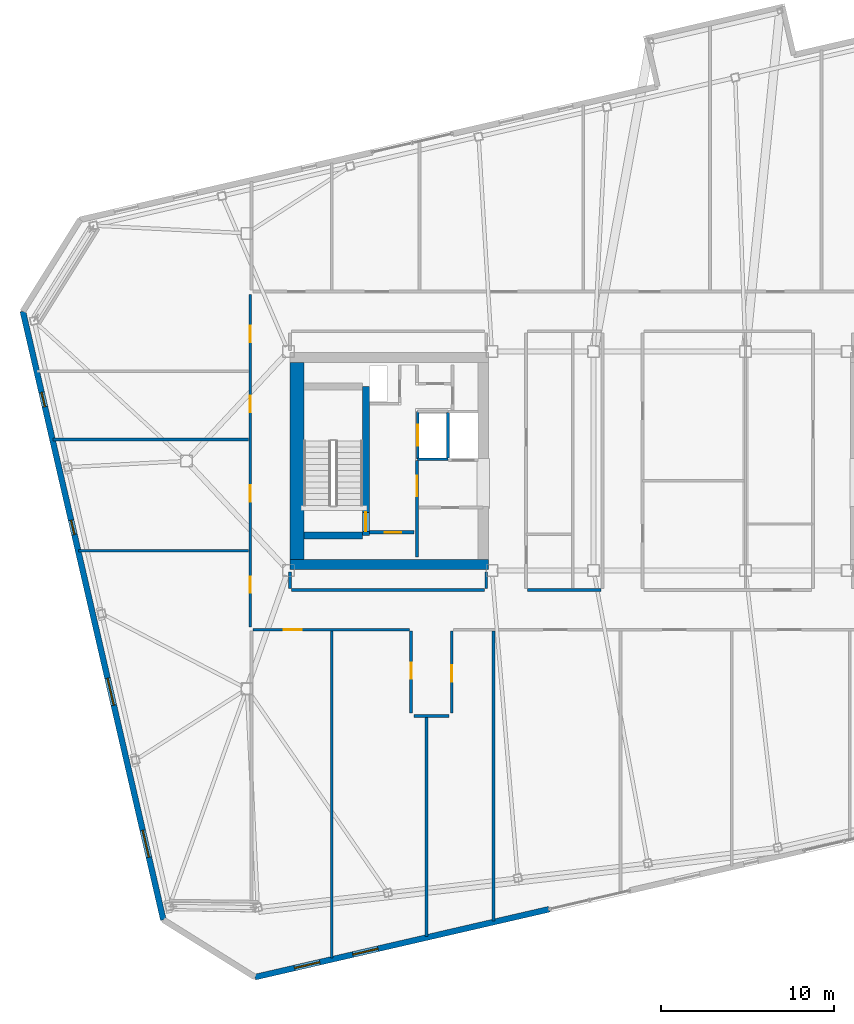
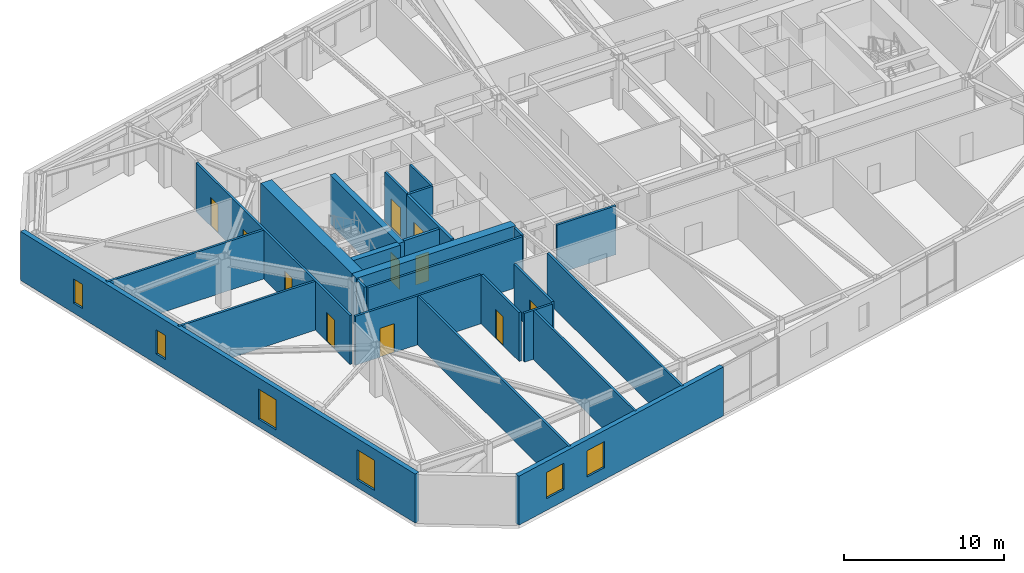
# One storey, part 15 of 22: 25 walls, 11 doors, 6 windows, 17 openings.
"""IFC4 building model written with IfcOpenShell, lengths in metres."""

from ifc_helpers import new_model, si_unit, direction, frame, frame_2d, origin, place, context, subcontext, project, spatial, rectangle, extrude, material, layer, layer_set, type_object, element, fill, save


model = new_model("IFC4")

# Units and contexts
model_context = context("Model", 3, precision=1e-05, world=origin(), true_north=direction((0.0, 1.0)))
body_context = subcontext(model_context, "Body", "Model", "MODEL_VIEW")
ifc_project = project(units=[si_unit("LENGTHUNIT", "METRE"), si_unit("AREAUNIT", "SQUARE_METRE"), si_unit("VOLUMEUNIT", "CUBIC_METRE"), si_unit("PLANEANGLEUNIT", "RADIAN"), si_unit("MASSUNIT", "GRAM", prefix="KILO")], contexts=[model_context])

# Site, building, storey
site_placement = place(None, origin())
site = spatial("IfcSite", under=ifc_project, at=site_placement, CompositionType="ELEMENT")
building_placement = place(site_placement, origin())
building = spatial("IfcBuilding", under=site, at=building_placement, Name="Tavrogorsk Clinical Tower", CompositionType="ELEMENT")
storey_placement = place(building_placement, frame((0.0, 0.0, 313.0)))
storey = spatial("IfcBuildingStorey", under=building, at=storey_placement, Name="L73", CompositionType="ELEMENT", Elevation=313.0)

# Wall, opening, door
ifc_material_1 = material(Name="Concrete B60", Category="concrete")
ifc_layer_1 = layer(ifc_material_1, 0.199951171875)
ifc_layer_set_1 = layer_set([ifc_layer_1], Name="Concrete B60")
wall_type_1 = type_object("IfcWallType", Name="CoreFireWall_200", PredefinedType="SOLIDWALL", material=ifc_layer_set_1)
wall_1_placement = place(storey_placement, frame((-17.3798828125, -4.139892578125, 0.0), z_axis=(0.0, 0.0, 1.0), x_axis=(1.0, 0.0, 0.0)))
wall_1 = element("IfcWall", 1, at=wall_1_placement, inside=storey, type_object=wall_type_1, Name="L73 Core West South Core Room Fire Wall", PredefinedType="SOLIDWALL", context=body_context, shape_type="SweptSolid", body=[
    extrude(rectangle(XDim=2.554931640625, YDim=0.199951171875, at=frame_2d((1.27734375, 0.0))), origin(), (0.0, 0.0, 1.0), 3.739990234375),
])
opening_1_placement = place(wall_1_placement, frame((0.8798828125, 0.0, 0.0)))
opening_1 = element("IfcOpeningElement", 2, at=opening_1_placement, cuts=wall_1, Name="Opening ID-02", PredefinedType="OPENING", context=body_context, shape_type="SweptSolid", body=[
    extrude(rectangle(XDim=0.949951171875, YDim=2.199951171875, at=frame_2d((0.47509765625, 1.10009765625))), frame((0.0, 0.10986328125, 0.0), z_axis=(0.0, -1.0, 0.0), x_axis=(1.0, 0.0, 0.0)), (0.0, 0.0, 1.0), 0.219970703125),
])
ifc_material_2 = material(Name="Laminated timber leaf on aluminium frame", Category="wood")
door_type_1 = type_object("IfcDoorType", Name="InteriorDoor_ID02_950", OperationType="NOTDEFINED", PredefinedType="DOOR", material=ifc_material_2)
door_1_placement = place(opening_1_placement, origin())
door_1 = element("IfcDoor", 3, at=door_1_placement, inside=storey, type_object=door_type_1, Name="L73 Core West South Core Room Door", OperationType="SINGLE_SWING_RIGHT", OverallHeight=2.199951171875, OverallWidth=0.949951171875, PredefinedType="DOOR", context=body_context, shape_type="SweptSolid", body=[
    extrude(rectangle(XDim=0.949951171875, YDim=2.199951171875, at=frame_2d((0.47509765625, 1.10009765625))), frame((0.0, 0.02490234375, 0.0), z_axis=(0.0, -1.0, 0.0), x_axis=(1.0, 0.0, 0.0)), (0.0, 0.0, 1.0), 0.050048828125),
])
fill(opening_1, door_1)

wall_2_placement = place(storey_placement, frame((-14.639892578125, -5.56005859375, 0.0), z_axis=(0.0, 0.0, 1.0), x_axis=(0.0, 1.0, 0.0)))
wall_2 = element("IfcWall", 4, at=wall_2_placement, inside=storey, type_object=wall_type_1, Name="L73 Core West Firefighting Lobby Fire Wall", PredefinedType="SOLIDWALL", context=body_context, shape_type="SweptSolid", body=[
    extrude(rectangle(XDim=5.60009765625, YDim=0.199951171875, at=frame_2d((2.800048828125, 0.0))), origin(), (0.0, 0.0, 1.0), 3.739990234375),
])
opening_2_placement = place(wall_2_placement, frame((3.510009765625, 0.0, 0.0)))
opening_2 = element("IfcOpeningElement", 5, at=opening_2_placement, cuts=wall_2, Name="Opening FD-01", PredefinedType="OPENING", context=body_context, shape_type="SweptSolid", body=[
    extrude(rectangle(XDim=1.199951171875, YDim=2.199951171875, at=frame_2d((0.60009765625, 1.10009765625))), frame((0.0, 0.10986328125, 0.0), z_axis=(0.0, -1.0, 0.0), x_axis=(1.0, 0.0, 0.0)), (0.0, 0.0, 1.0), 0.219970703125),
])
ifc_material_3 = material(Name="Galvanised steel fire-rated door assembly", Category="steel")
door_type_2 = type_object("IfcDoorType", Name="FireDoor_FD01_1200", OperationType="NOTDEFINED", PredefinedType="DOOR", material=ifc_material_3)
door_2_placement = place(opening_2_placement, origin())
door_2 = element("IfcDoor", 6, at=door_2_placement, inside=storey, type_object=door_type_2, Name="L73 Core West Firefighting Lobby Entry Door", OperationType="SINGLE_SWING_RIGHT", OverallHeight=2.199951171875, OverallWidth=1.199951171875, PredefinedType="DOOR", context=body_context, shape_type="SweptSolid", body=[
    extrude(rectangle(XDim=1.199951171875, YDim=2.199951171875, at=frame_2d((0.60009765625, 1.10009765625))), frame((0.0, 0.02490234375, 0.0), z_axis=(0.0, -1.0, 0.0), x_axis=(1.0, 0.0, 0.0)), (0.0, 0.0, 1.0), 0.050048828125),
])
fill(opening_2, door_2)

# Wall, openings, doors
ifc_material_4 = material(Name="Lightweight concrete blockwork B15", Category="masonry")
ifc_layer_2 = layer(ifc_material_4, 0.159912109375)
ifc_layer_set_2 = layer_set([ifc_layer_2], Name="Lightweight concrete blockwork B15")
wall_type_2 = type_object("IfcWallType", Name="PartitionWall_160", PredefinedType="PARTITIONING", material=ifc_layer_set_2)
wall_3_placement = place(storey_placement, frame((-24.31005859375, -9.614990234375, 0.0), z_axis=(0.0, 0.0, 1.0), x_axis=(0.0, 1.0, 0.0)))
wall_3 = element("IfcWall", 7, at=wall_3_placement, inside=storey, type_object=wall_type_2, Name="L73 Corridor Partition 01", PredefinedType="PARTITIONING", context=body_context, shape_type="SweptSolid", body=[
    extrude(rectangle(XDim=19.280029296875, YDim=0.159912109375, at=frame_2d((9.64013671875, 0.0))), origin(), (0.0, 0.0, 1.0), 3.739990234375),
])
opening_3_placement = place(wall_3_placement, frame((1.968994140625, 0.0, 0.0)))
opening_3 = element("IfcOpeningElement", 8, at=opening_3_placement, cuts=wall_3, Name="Opening ID-02", PredefinedType="OPENING", context=body_context, shape_type="SweptSolid", body=[
    extrude(rectangle(XDim=0.949951171875, YDim=2.199951171875, at=frame_2d((0.47509765625, 1.10009765625))), frame((0.0, 0.08984375, 0.0), z_axis=(0.0, -1.0, 0.0), x_axis=(1.0, 0.0, 0.0)), (0.0, 0.0, 1.0), 0.179931640625),
])
opening_4_placement = place(wall_3_placement, frame((7.25, 0.0, 0.0)))
opening_4 = element("IfcOpeningElement", 9, at=opening_4_placement, cuts=wall_3, Name="Opening ID-02", PredefinedType="OPENING", context=body_context, shape_type="SweptSolid", body=[
    extrude(rectangle(XDim=0.949951171875, YDim=2.199951171875, at=frame_2d((0.47509765625, 1.10009765625))), frame((0.0, 0.08984375, 0.0), z_axis=(0.0, -1.0, 0.0), x_axis=(1.0, 0.0, 0.0)), (0.0, 0.0, 1.0), 0.179931640625),
])
opening_5_placement = place(wall_3_placement, frame((12.449951171875, 0.0, 0.0)))
opening_5 = element("IfcOpeningElement", 10, at=opening_5_placement, cuts=wall_3, Name="Opening ID-02", PredefinedType="OPENING", context=body_context, shape_type="SweptSolid", body=[
    extrude(rectangle(XDim=0.949951171875, YDim=2.199951171875, at=frame_2d((0.47509765625, 1.10009765625))), frame((0.0, 0.08984375, 0.0), z_axis=(0.0, -1.0, 0.0), x_axis=(1.0, 0.0, 0.0)), (0.0, 0.0, 1.0), 0.179931640625),
])
opening_6_placement = place(wall_3_placement, frame((16.505859375, 0.0, 0.0)))
opening_6 = element("IfcOpeningElement", 11, at=opening_6_placement, cuts=wall_3, Name="Opening ID-02", PredefinedType="OPENING", context=body_context, shape_type="SweptSolid", body=[
    extrude(rectangle(XDim=0.949951171875, YDim=2.199951171875, at=frame_2d((0.47509765625, 1.10009765625))), frame((0.0, 0.08984375, 0.0), z_axis=(0.0, -1.0, 0.0), x_axis=(1.0, 0.0, 0.0)), (0.0, 0.0, 1.0), 0.179931640625),
])
door_3_placement = place(opening_3_placement, origin())
door_3 = element("IfcDoor", 12, at=door_3_placement, inside=storey, type_object=door_type_1, Name="L73 W Solarium Day Room & Lounge 1 Door", OperationType="SINGLE_SWING_RIGHT", OverallHeight=2.199951171875, OverallWidth=0.949951171875, PredefinedType="DOOR", context=body_context, shape_type="SweptSolid", body=[
    extrude(rectangle(XDim=0.949951171875, YDim=2.199951171875, at=frame_2d((0.47509765625, 1.10009765625))), frame((0.0, 0.02490234375, 0.0), z_axis=(0.0, -1.0, 0.0), x_axis=(1.0, 0.0, 0.0)), (0.0, 0.0, 1.0), 0.050048828125),
])
fill(opening_3, door_3)
door_4_placement = place(opening_4_placement, origin())
door_4 = element("IfcDoor", 13, at=door_4_placement, inside=storey, type_object=door_type_1, Name="L73 W Rehabilitation Therapy Suite 2 Door", OperationType="SINGLE_SWING_LEFT", OverallHeight=2.199951171875, OverallWidth=0.949951171875, PredefinedType="DOOR", context=body_context, shape_type="SweptSolid", body=[
    extrude(rectangle(XDim=0.949951171875, YDim=2.199951171875, at=frame_2d((0.47509765625, 1.10009765625))), frame((0.0, 0.02490234375, 0.0), z_axis=(0.0, -1.0, 0.0), x_axis=(1.0, 0.0, 0.0)), (0.0, 0.0, 1.0), 0.050048828125),
])
fill(opening_4, door_4)
door_5_placement = place(opening_5_placement, origin())
door_5 = element("IfcDoor", 14, at=door_5_placement, inside=storey, type_object=door_type_1, Name="L73 W Sub-Acute Observation Suite 3 Door", OperationType="SINGLE_SWING_RIGHT", OverallHeight=2.199951171875, OverallWidth=0.949951171875, PredefinedType="DOOR", context=body_context, shape_type="SweptSolid", body=[
    extrude(rectangle(XDim=0.949951171875, YDim=2.199951171875, at=frame_2d((0.47509765625, 1.10009765625))), frame((0.0, 0.02490234375, 0.0), z_axis=(0.0, -1.0, 0.0), x_axis=(1.0, 0.0, 0.0)), (0.0, 0.0, 1.0), 0.050048828125),
])
fill(opening_5, door_5)
door_6_placement = place(opening_6_placement, origin())
door_6 = element("IfcDoor", 15, at=door_6_placement, inside=storey, type_object=door_type_1, Name="L73 W Family Consultation Lounge 4 Door", OperationType="SINGLE_SWING_LEFT", OverallHeight=2.199951171875, OverallWidth=0.949951171875, PredefinedType="DOOR", context=body_context, shape_type="SweptSolid", body=[
    extrude(rectangle(XDim=0.949951171875, YDim=2.199951171875, at=frame_2d((0.47509765625, 1.10009765625))), frame((0.0, 0.02490234375, 0.0), z_axis=(0.0, -1.0, 0.0), x_axis=(1.0, 0.0, 0.0)), (0.0, 0.0, 1.0), 0.050048828125),
])
fill(opening_6, door_6)

# Wall, opening, door
wall_4_placement = place(storey_placement, frame((-12.6201171875, -9.864990234375, 0.0), z_axis=(0.0, 0.0, 1.0), x_axis=(0.0, -1.0, 0.0)))
wall_4 = element("IfcWall", 16, at=wall_4_placement, inside=storey, type_object=wall_type_2, Name="L73 Corridor Partition 05", PredefinedType="PARTITIONING", context=body_context, shape_type="SweptSolid", body=[
    extrude(rectangle(XDim=4.75, YDim=0.159912109375, at=frame_2d((2.375, 0.0))), origin(), (0.0, 0.0, 1.0), 3.739990234375),
])
opening_7_placement = place(wall_4_placement, frame((1.985107421875, 0.0, 0.0)))
opening_7 = element("IfcOpeningElement", 17, at=opening_7_placement, cuts=wall_4, Name="Opening ID-02", PredefinedType="OPENING", context=body_context, shape_type="SweptSolid", body=[
    extrude(rectangle(XDim=0.949951171875, YDim=2.199951171875, at=frame_2d((0.47509765625, 1.10009765625))), frame((0.0, 0.08984375, 0.0), z_axis=(0.0, -1.0, 0.0), x_axis=(1.0, 0.0, 0.0)), (0.0, 0.0, 1.0), 0.179931640625),
])
door_7_placement = place(opening_7_placement, origin())
door_7 = element("IfcDoor", 18, at=door_7_placement, inside=storey, type_object=door_type_1, Name="L73 South Attending Physician Office 02B Door", OperationType="SINGLE_SWING_RIGHT", OverallHeight=2.199951171875, OverallWidth=0.949951171875, PredefinedType="DOOR", context=body_context, shape_type="SweptSolid", body=[
    extrude(rectangle(XDim=0.949951171875, YDim=2.199951171875, at=frame_2d((0.47509765625, 1.10009765625))), frame((0.0, 0.02490234375, 0.0), z_axis=(0.0, -1.0, 0.0), x_axis=(1.0, 0.0, 0.0)), (0.0, 0.0, 1.0), 0.050048828125),
])
fill(opening_7, door_7)

# Wall
wall_5_placement = place(storey_placement, frame((-12.784912109375, -14.780029296875, 0.0), z_axis=(0.0, 0.0, 1.0), x_axis=(-1.0, 0.0, 0.0)))
element("IfcWall", 19, at=wall_5_placement, inside=storey, type_object=wall_type_2, Name="L73 Corridor Partition 06", PredefinedType="PARTITIONING", context=body_context, shape_type="SweptSolid", body=[
    extrude(rectangle(XDim=2.030029296875, YDim=0.159912109375, at=frame_2d((1.01513671875, 0.0))), origin(), (0.0, 0.0, 1.0), 3.739990234375),
])

# Wall, opening, door
wall_6_placement = place(storey_placement, frame((-14.97998046875, -14.614990234375, 0.0), z_axis=(0.0, 0.0, 1.0), x_axis=(0.0, 1.0, 0.0)))
wall_6 = element("IfcWall", 20, at=wall_6_placement, inside=storey, type_object=wall_type_2, Name="L73 Corridor Partition 07", PredefinedType="PARTITIONING", context=body_context, shape_type="SweptSolid", body=[
    extrude(rectangle(XDim=4.75, YDim=0.159912109375, at=frame_2d((2.375, 0.0))), origin(), (0.0, 0.0, 1.0), 3.739990234375),
])
opening_8_placement = place(wall_6_placement, frame((1.985107421875, 0.0, 0.0)))
opening_8 = element("IfcOpeningElement", 21, at=opening_8_placement, cuts=wall_6, Name="Opening ID-02", PredefinedType="OPENING", context=body_context, shape_type="SweptSolid", body=[
    extrude(rectangle(XDim=0.949951171875, YDim=2.199951171875, at=frame_2d((0.47509765625, 1.10009765625))), frame((0.0, 0.08984375, 0.0), z_axis=(0.0, -1.0, 0.0), x_axis=(1.0, 0.0, 0.0)), (0.0, 0.0, 1.0), 0.179931640625),
])
door_8_placement = place(opening_8_placement, origin())
door_8 = element("IfcDoor", 22, at=door_8_placement, inside=storey, type_object=door_type_1, Name="L73 South Staff Rest & Nourishment Lounge 02A Door", OperationType="SINGLE_SWING_LEFT", OverallHeight=2.199951171875, OverallWidth=0.949951171875, PredefinedType="DOOR", context=body_context, shape_type="SweptSolid", body=[
    extrude(rectangle(XDim=0.949951171875, YDim=2.199951171875, at=frame_2d((0.47509765625, 1.10009765625))), frame((0.0, 0.02490234375, 0.0), z_axis=(0.0, -1.0, 0.0), x_axis=(1.0, 0.0, 0.0)), (0.0, 0.0, 1.0), 0.050048828125),
])
fill(opening_8, door_8)

wall_7_placement = place(storey_placement, frame((-15.06494140625, -9.780029296875, 0.0), z_axis=(0.0, 0.0, 1.0), x_axis=(-1.0, 0.0, 0.0)))
wall_7 = element("IfcWall", 23, at=wall_7_placement, inside=storey, type_object=wall_type_2, Name="L73 Corridor Partition 08", PredefinedType="PARTITIONING", context=body_context, shape_type="SweptSolid", body=[
    extrude(rectangle(XDim=9.080078125, YDim=0.159912109375, at=frame_2d((4.5400390625, 0.0))), origin(), (0.0, 0.0, 1.0), 3.739990234375),
])
opening_9_placement = place(wall_7_placement, frame((6.255859375, 0.0, 0.0)))
opening_9 = element("IfcOpeningElement", 24, at=opening_9_placement, cuts=wall_7, Name="Opening ID-04", PredefinedType="OPENING", context=body_context, shape_type="SweptSolid", body=[
    extrude(rectangle(XDim=1.050048828125, YDim=2.199951171875, at=frame_2d((0.52490234375, 1.10009765625))), frame((0.0, 0.08984375, 0.0), z_axis=(0.0, -1.0, 0.0), x_axis=(1.0, 0.0, 0.0)), (0.0, 0.0, 1.0), 0.179931640625),
])
ifc_material_5 = material(Name="Antibacterial HPL consultation door on aluminium frame", Category="aluminium")
door_type_3 = type_object("IfcDoorType", Name="ConsultDoor_ID04_1050", OperationType="NOTDEFINED", PredefinedType="DOOR", material=ifc_material_5)
door_9_placement = place(opening_9_placement, origin())
door_9 = element("IfcDoor", 25, at=door_9_placement, inside=storey, type_object=door_type_3, Name="L73 South Clinical Case Seminar Room 01 Door", OperationType="SINGLE_SWING_RIGHT", OverallHeight=2.199951171875, OverallWidth=1.050048828125, PredefinedType="DOOR", context=body_context, shape_type="SweptSolid", body=[
    extrude(rectangle(XDim=1.050048828125, YDim=2.199951171875, at=frame_2d((0.52490234375, 1.10009765625))), frame((0.0, 0.02490234375, 0.0), z_axis=(0.0, -1.0, 0.0), x_axis=(1.0, 0.0, 0.0)), (0.0, 0.0, 1.0), 0.050048828125),
])
fill(opening_9, door_9)

# Walls
wall_8_placement = place(storey_placement, frame((-8.235107421875, -7.469970703125, 0.0), z_axis=(0.0, 0.0, 1.0), x_axis=(1.0, 0.0, 0.0)))
element("IfcWall", 26, at=wall_8_placement, inside=storey, type_object=wall_type_2, Name="L73 Corridor Partition 22", PredefinedType="PARTITIONING", context=body_context, shape_type="SweptSolid", body=[
    extrude(rectangle(XDim=4.27001953125, YDim=0.159912109375, at=frame_2d((2.135009765625, 0.0))), origin(), (0.0, 0.0, 1.0), 3.739990234375),
])
for number, where, z_axis, x_axis, name in (
    (27, (-10.6298828125, -7.385009765625, 0.0), (0.0, 0.0, 1.0), (0.0, 1.0, 0.0), "L73 Corridor Partition 23"),
    (28, (-22.0, -6.419921875, 0.0), (0.0, 0.0, 1.0), (0.0, -1.0, 0.0), "L73 Corridor Partition 27"),
):
    element("IfcWall", number, at=place(storey_placement, frame(where, z_axis=z_axis, x_axis=x_axis)), inside=storey, type_object=wall_type_2, Name=name, PredefinedType="PARTITIONING", context=body_context, shape_type="SweptSolid", body=[
        extrude(rectangle(XDim=0.965087890625, YDim=0.159912109375, at=frame_2d((0.482421875, 0.0))), origin(), (0.0, 0.0, 1.0), 3.739990234375),
    ])
wall_9_placement = place(storey_placement, frame((-21.9150390625, -7.469970703125, 0.0), z_axis=(0.0, 0.0, 1.0), x_axis=(1.0, 0.0, 0.0)))
element("IfcWall", 29, at=wall_9_placement, inside=storey, type_object=wall_type_2, Name="L73 Corridor Partition 28", PredefinedType="PARTITIONING", context=body_context, shape_type="SweptSolid", body=[
    extrude(rectangle(XDim=11.199951171875, YDim=0.159912109375, at=frame_2d((5.60009765625, 0.0))), origin(), (0.0, 0.0, 1.0), 3.739990234375),
])
wall_10_placement = place(storey_placement, frame((-19.580078125, -28.817138671875, 0.0), z_axis=(0.0, 0.0, 1.0), x_axis=(0.0, 1.0, 0.0)))
element("IfcWall", 30, at=wall_10_placement, inside=storey, type_object=wall_type_2, Name="L73 South Room Partition 1", PredefinedType="PARTITIONING", context=body_context, shape_type="SweptSolid", body=[
    extrude(rectangle(XDim=18.9521484375, YDim=0.159912109375, at=frame_2d((9.47607421875, 0.0))), origin(), (0.0, 0.0, 1.0), 3.739990234375),
])
wall_11_placement = place(storey_placement, frame((-10.199951171875, -26.651611328125, 0.0), z_axis=(0.0, 0.0, 1.0), x_axis=(0.0, 1.0, 0.0)))
element("IfcWall", 31, at=wall_11_placement, inside=storey, type_object=wall_type_2, Name="L73 South Room Partition 2", PredefinedType="PARTITIONING", context=body_context, shape_type="SweptSolid", body=[
    extrude(rectangle(XDim=16.78662109375, YDim=0.159912109375, at=frame_2d((8.393310546875, 0.0))), origin(), (0.0, 0.0, 1.0), 3.739990234375),
])
wall_12_placement = place(storey_placement, frame((-14.090087890625, -27.549560546875, 0.0), z_axis=(0.0, 0.0, 1.0), x_axis=(0.0, 1.0, 0.0)))
element("IfcWall", 32, at=wall_12_placement, inside=storey, type_object=wall_type_2, Name="L73 South Sub-Partition 2", PredefinedType="PARTITIONING", context=body_context, shape_type="SweptSolid", body=[
    extrude(rectangle(XDim=12.7646484375, YDim=0.159912109375, at=frame_2d((6.38232421875, 0.0))), origin(), (0.0, 0.0, 1.0), 3.739990234375),
])
wall_13_placement = place(storey_placement, frame((-34.26171875, -5.199951171875, 0.0), z_axis=(0.0, 0.0, 1.0), x_axis=(1.0, 0.0, 0.0)))
element("IfcWall", 33, at=wall_13_placement, inside=storey, type_object=wall_type_2, Name="L73 W Wing Divider 1", PredefinedType="PARTITIONING", context=body_context, shape_type="SweptSolid", body=[
    extrude(rectangle(XDim=9.86669921875, YDim=0.159912109375, at=frame_2d((4.933349609375, 0.0))), origin(), (0.0, 0.0, 1.0), 3.739990234375),
])
wall_14_placement = place(storey_placement, frame((-35.7509765625, 1.25, 0.0), z_axis=(0.0, 0.0, 1.0), x_axis=(1.0, 0.0, 0.0)))
element("IfcWall", 34, at=wall_14_placement, inside=storey, type_object=wall_type_2, Name="L73 W Wing Divider 2", PredefinedType="PARTITIONING", context=body_context, shape_type="SweptSolid", body=[
    extrude(rectangle(XDim=11.35595703125, YDim=0.159912109375, at=frame_2d((5.677978515625, 0.0))), origin(), (0.0, 0.0, 1.0), 3.739990234375),
])

# Wall, openings, windows
ifc_material_6 = material(Name="Precast concrete B45 with limestone cladding", Category="masonry")
ifc_layer_3 = layer(ifc_material_6, 0.340087890625)
ifc_layer_set_3 = layer_set([ifc_layer_3], Name="Precast concrete B45 with limestone cladding")
wall_type_3 = type_object("IfcWallType", Name="PrecastLimestoneWall_340", PredefinedType="STANDARD", material=ifc_layer_set_3)
wall_15_placement = place(storey_placement, frame((-24.029541015625, -29.916259765625, 0.0), z_axis=(0.0, 0.0, 1.0), x_axis=(0.974370978061, 0.224947098473, 0.0)))
wall_15 = element("IfcWall", 35, at=wall_15_placement, inside=storey, type_object=wall_type_3, Name="L73 S Limestone Facade Wall 1", PredefinedType="STANDARD", context=body_context, shape_type="SweptSolid", body=[
    extrude(rectangle(XDim=17.50634765625, YDim=0.340087890625, at=frame_2d((8.753173828125, 0.0))), origin(), (0.0, 0.0, 1.0), 3.739990234375),
])
opening_10_placement = place(wall_15_placement, frame((2.35009765625, 0.0, 0.89990234375)))
opening_10 = element("IfcOpeningElement", 36, at=opening_10_placement, cuts=wall_15, Name="Opening WN-05", PredefinedType="OPENING", context=body_context, shape_type="SweptSolid", body=[
    extrude(rectangle(XDim=1.5, YDim=2.0, at=frame_2d((0.75, 1.0))), frame((0.0, 0.179931640625, 0.0), z_axis=(0.0, -1.0, 0.0), x_axis=(1.0, 0.0, 0.0)), (0.0, 0.0, 1.0), 0.360107421875),
])
opening_11_placement = place(wall_15_placement, frame((5.81689453125, 0.0, 0.89990234375)))
opening_11 = element("IfcOpeningElement", 37, at=opening_11_placement, cuts=wall_15, Name="Opening WN-05", PredefinedType="OPENING", context=body_context, shape_type="SweptSolid", body=[
    extrude(rectangle(XDim=1.5, YDim=2.0, at=frame_2d((0.75, 1.0))), frame((0.0, 0.179931640625, 0.0), z_axis=(0.0, -1.0, 0.0), x_axis=(1.0, 0.0, 0.0)), (0.0, 0.0, 1.0), 0.360107421875),
])
ifc_material_7 = material(Name="Thermally broken aluminium frame and triple IGU", Category="aluminium")
window_type_1 = type_object("IfcWindowType", Name="ConsultWin_1500x2000", PartitioningType="SINGLE_PANEL", PredefinedType="WINDOW", material=ifc_material_7)
window_1_placement = place(opening_10_placement, origin())
window_1 = element("IfcWindow", 38, at=window_1_placement, inside=storey, type_object=window_type_1, Name="L73 S Chicago Window 01", OverallHeight=2.0, OverallWidth=1.5, PartitioningType="SINGLE_PANEL", PredefinedType="WINDOW", context=body_context, shape_type="SweptSolid", body=[
    extrude(rectangle(XDim=1.5, YDim=2.0, at=frame_2d((0.75, 1.0))), frame((0.0, 0.030029296875, 0.0), z_axis=(0.0, -1.0, 0.0), x_axis=(1.0, 0.0, 0.0)), (0.0, 0.0, 1.0), 0.06005859375),
])
fill(opening_10, window_1)
window_2_placement = place(opening_11_placement, origin())
window_2 = element("IfcWindow", 39, at=window_2_placement, inside=storey, type_object=window_type_1, Name="L73 S Chicago Window 02", OverallHeight=2.0, OverallWidth=1.5, PartitioningType="SINGLE_PANEL", PredefinedType="WINDOW", context=body_context, shape_type="SweptSolid", body=[
    extrude(rectangle(XDim=1.5, YDim=2.0, at=frame_2d((0.75, 1.0))), frame((0.0, 0.030029296875, 0.0), z_axis=(0.0, -1.0, 0.0), x_axis=(1.0, 0.0, 0.0)), (0.0, 0.0, 1.0), 0.06005859375),
])
fill(opening_11, window_2)

wall_16_placement = place(storey_placement, frame((-37.48583984375, 8.676025390625, 0.0), z_axis=(0.0, 0.0, 1.0), x_axis=(0.224953091034, -0.974369594576, 0.0)))
wall_16 = element("IfcWall", 40, at=wall_16_placement, inside=storey, type_object=wall_type_3, Name="L73 W Pleated Limestone Wing Wall", PredefinedType="STANDARD", context=body_context, shape_type="SweptSolid", body=[
    extrude(rectangle(XDim=36.199951171875, YDim=0.340087890625, at=frame_2d((18.10009765625, 0.0))), origin(), (0.0, 0.0, 1.0), 3.739990234375),
])
opening_12_placement = place(wall_16_placement, frame((4.824951171875, 0.0, 0.75)))
opening_12 = element("IfcOpeningElement", 41, at=opening_12_placement, cuts=wall_16, Name="Opening WN-06", PredefinedType="OPENING", context=body_context, shape_type="SweptSolid", body=[
    extrude(rectangle(XDim=0.85009765625, YDim=1.85009765625, at=frame_2d((0.425048828125, 0.925048828125))), frame((0.0, 0.179931640625, 0.0), z_axis=(0.0, -1.0, 0.0), x_axis=(1.0, 0.0, 0.0)), (0.0, 0.0, 1.0), 0.360107421875),
])
opening_13_placement = place(wall_16_placement, frame((12.425048828125, 0.0, 0.75)))
opening_13 = element("IfcOpeningElement", 42, at=opening_13_placement, cuts=wall_16, Name="Opening WN-06", PredefinedType="OPENING", context=body_context, shape_type="SweptSolid", body=[
    extrude(rectangle(XDim=0.85009765625, YDim=1.85009765625, at=frame_2d((0.425048828125, 0.925048828125))), frame((0.0, 0.179931640625, 0.0), z_axis=(0.0, -1.0, 0.0), x_axis=(1.0, 0.0, 0.0)), (0.0, 0.0, 1.0), 0.360107421875),
])
opening_14_placement = place(wall_16_placement, frame((21.824951171875, 0.0, 0.580078125)))
opening_14 = element("IfcOpeningElement", 43, at=opening_14_placement, cuts=wall_16, Name="Opening WN-07", PredefinedType="OPENING", context=body_context, shape_type="SweptSolid", body=[
    extrude(rectangle(XDim=1.60009765625, YDim=2.300048828125, at=frame_2d((0.800048828125, 1.14990234375))), frame((0.0, 0.179931640625, 0.0), z_axis=(0.0, -1.0, 0.0), x_axis=(1.0, 0.0, 0.0)), (0.0, 0.0, 1.0), 0.360107421875),
])
opening_15_placement = place(wall_16_placement, frame((30.875, 0.0, 0.580078125)))
opening_15 = element("IfcOpeningElement", 44, at=opening_15_placement, cuts=wall_16, Name="Opening WN-07", PredefinedType="OPENING", context=body_context, shape_type="SweptSolid", body=[
    extrude(rectangle(XDim=1.60009765625, YDim=2.300048828125, at=frame_2d((0.800048828125, 1.14990234375))), frame((0.0, 0.179931640625, 0.0), z_axis=(0.0, -1.0, 0.0), x_axis=(1.0, 0.0, 0.0)), (0.0, 0.0, 1.0), 0.360107421875),
])
ifc_material_8 = material(Name="Thermally broken aluminium frame and triple IGU", Category="aluminium")
window_type_2 = type_object("IfcWindowType", Name="MullionSubWin_850x1850", PartitioningType="SINGLE_PANEL", PredefinedType="WINDOW", material=ifc_material_8)
window_3_placement = place(opening_12_placement, origin())
window_3 = element("IfcWindow", 45, at=window_3_placement, inside=storey, type_object=window_type_2, Name="L73 W Pleat Mullion Window 1B", OverallHeight=1.85009765625, OverallWidth=0.85009765625, PartitioningType="SINGLE_PANEL", PredefinedType="WINDOW", context=body_context, shape_type="SweptSolid", body=[
    extrude(rectangle(XDim=0.85009765625, YDim=1.85009765625, at=frame_2d((0.425048828125, 0.925048828125))), frame((0.0, 0.030029296875, 0.0), z_axis=(0.0, -1.0, 0.0), x_axis=(1.0, 0.0, 0.0)), (0.0, 0.0, 1.0), 0.06005859375),
])
fill(opening_12, window_3)
window_4_placement = place(opening_13_placement, origin())
window_4 = element("IfcWindow", 46, at=window_4_placement, inside=storey, type_object=window_type_2, Name="L73 W Pleat Mullion Window 2A", OverallHeight=1.85009765625, OverallWidth=0.85009765625, PartitioningType="SINGLE_PANEL", PredefinedType="WINDOW", context=body_context, shape_type="SweptSolid", body=[
    extrude(rectangle(XDim=0.85009765625, YDim=1.85009765625, at=frame_2d((0.425048828125, 0.925048828125))), frame((0.0, 0.030029296875, 0.0), z_axis=(0.0, -1.0, 0.0), x_axis=(1.0, 0.0, 0.0)), (0.0, 0.0, 1.0), 0.06005859375),
])
fill(opening_13, window_4)
ifc_material_9 = material(Name="Thermally broken aluminium frame and triple IGU", Category="aluminium")
window_type_3 = type_object("IfcWindowType", Name="PleatSlotWin_1600x2300", PartitioningType="SINGLE_PANEL", PredefinedType="WINDOW", material=ifc_material_9)
window_5_placement = place(opening_14_placement, origin())
window_5 = element("IfcWindow", 47, at=window_5_placement, inside=storey, type_object=window_type_3, Name="L73 W Pleat Slot Window 3", OverallHeight=2.300048828125, OverallWidth=1.60009765625, PartitioningType="SINGLE_PANEL", PredefinedType="WINDOW", context=body_context, shape_type="SweptSolid", body=[
    extrude(rectangle(XDim=1.60009765625, YDim=2.300048828125, at=frame_2d((0.800048828125, 1.14990234375))), frame((0.0, 0.030029296875, 0.0), z_axis=(0.0, -1.0, 0.0), x_axis=(1.0, 0.0, 0.0)), (0.0, 0.0, 1.0), 0.06005859375),
])
fill(opening_14, window_5)
window_6_placement = place(opening_15_placement, origin())
window_6 = element("IfcWindow", 48, at=window_6_placement, inside=storey, type_object=window_type_3, Name="L73 W Pleat Slot Window 4", OverallHeight=2.300048828125, OverallWidth=1.60009765625, PartitioningType="SINGLE_PANEL", PredefinedType="WINDOW", context=body_context, shape_type="SweptSolid", body=[
    extrude(rectangle(XDim=1.60009765625, YDim=2.300048828125, at=frame_2d((0.800048828125, 1.14990234375))), frame((0.0, 0.030029296875, 0.0), z_axis=(0.0, -1.0, 0.0), x_axis=(1.0, 0.0, 0.0)), (0.0, 0.0, 1.0), 0.06005859375),
])
fill(opening_15, window_6)

# Wall, opening, door
ifc_material_10 = material(Name="Lightweight concrete blockwork B25", Category="masonry")
ifc_layer_4 = layer(ifc_material_10, 0.159912109375)
ifc_layer_set_4 = layer_set([ifc_layer_4], Name="Lightweight concrete blockwork B25")
wall_type_4 = type_object("IfcWallType", Name="ShaftWall_160", PredefinedType="PARTITIONING", material=ifc_layer_set_4)
wall_17_placement = place(storey_placement, frame((-14.60009765625, 0.1201171875, 0.0), z_axis=(0.0, 0.0, 1.0), x_axis=(0.0, 1.0, 0.0)))
wall_17 = element("IfcWall", 49, at=wall_17_placement, inside=storey, type_object=wall_type_4, Name="L73 FFL-W Firefighting Lift Front Wall", PredefinedType="PARTITIONING", context=body_context, shape_type="SweptSolid", body=[
    extrude(rectangle(XDim=2.739990234375, YDim=0.159912109375, at=frame_2d((1.3701171875, 0.0))), origin(), (0.0, 0.0, 1.0), 3.739990234375),
])
opening_16_placement = place(wall_17_placement, frame((0.77001953125, 0.0, 0.0)))
opening_16 = element("IfcOpeningElement", 50, at=opening_16_placement, cuts=wall_17, Name="Opening LD", PredefinedType="OPENING", context=body_context, shape_type="SweptSolid", body=[
    extrude(rectangle(XDim=1.199951171875, YDim=2.199951171875, at=frame_2d((0.60009765625, 1.10009765625))), frame((0.0, 0.08984375, 0.0), z_axis=(0.0, -1.0, 0.0), x_axis=(1.0, 0.0, 0.0)), (0.0, 0.0, 1.0), 0.179931640625),
])
ifc_material_11 = material(Name="Brushed stainless steel AISI 304 sliding doors", Category="steel")
door_type_4 = type_object("IfcDoorType", Name="LiftLandingDoor_LD_1200", OperationType="SLIDING_TO_LEFT", PredefinedType="DOOR", material=ifc_material_11)
door_10_placement = place(opening_16_placement, origin())
door_10 = element("IfcDoor", 51, at=door_10_placement, inside=storey, type_object=door_type_4, Name="L73 FFL-W Sliding Lift Landing Door", OperationType="SLIDING_TO_LEFT", OverallHeight=2.199951171875, OverallWidth=1.199951171875, PredefinedType="DOOR", context=body_context, shape_type="SweptSolid", body=[
    extrude(rectangle(XDim=1.199951171875, YDim=2.199951171875, at=frame_2d((0.60009765625, 1.10009765625))), frame((0.0, 0.02490234375, 0.0), z_axis=(0.0, -1.0, 0.0), x_axis=(1.0, 0.0, 0.0)), (0.0, 0.0, 1.0), 0.050048828125),
])
fill(opening_16, door_10)

# Walls
wall_18_placement = place(storey_placement, frame((-14.60009765625, 0.10009765625, 0.0), z_axis=(0.0, 0.0, 1.0), x_axis=(1.0, 0.0, 0.0)))
element("IfcWall", 52, at=wall_18_placement, inside=storey, type_object=wall_type_4, Name="L73 FFL-W Shaft South Wall", PredefinedType="PARTITIONING", context=body_context, shape_type="SweptSolid", body=[
    extrude(rectangle(XDim=1.760009765625, YDim=0.159912109375, at=frame_2d((0.8798828125, 0.0))), origin(), (0.0, 0.0, 1.0), 3.739990234375),
])
wall_19_placement = place(storey_placement, frame((-12.840087890625, 0.179931640625, 0.0), z_axis=(0.0, 0.0, 1.0), x_axis=(0.0, 1.0, 0.0)))
element("IfcWall", 53, at=wall_19_placement, inside=storey, type_object=wall_type_4, Name="L73 FFL-W Shaft Back Wall", PredefinedType="PARTITIONING", context=body_context, shape_type="SweptSolid", body=[
    extrude(rectangle(XDim=2.6201171875, YDim=0.159912109375, at=frame_2d((1.31005859375, 0.0))), origin(), (0.0, 0.0, 1.0), 3.739990234375),
])

# Wall, opening, door
ifc_material_12 = material(Name="Concrete B80", Category="concrete")
ifc_layer_5 = layer(ifc_material_12, 0.39990234375)
ifc_layer_set_5 = layer_set([ifc_layer_5], Name="Concrete B80")
wall_type_5 = type_object("IfcWallType", Name="ShearWall_400", PredefinedType="SHEAR", material=ifc_layer_set_5)
wall_20_placement = place(storey_placement, frame((-17.60009765625, -4.324951171875, 0.0), z_axis=(0.0, 0.0, 1.0), x_axis=(0.0, 1.0, 0.0)))
wall_20 = element("IfcWall", 54, at=wall_20_placement, inside=storey, type_object=wall_type_5, Name="L73 Core West Stair Shaft Inner Shear Wall", PredefinedType="SHEAR", context=body_context, shape_type="SweptSolid", body=[
    extrude(rectangle(XDim=8.64990234375, YDim=0.39990234375, at=frame_2d((4.324951171875, 0.0))), origin(), (0.0, 0.0, 1.0), 3.739990234375),
])
opening_17_placement = place(wall_20_placement, frame((0.25, 0.0, 0.0)))
opening_17 = element("IfcOpeningElement", 55, at=opening_17_placement, cuts=wall_20, Name="Opening SD-01", PredefinedType="OPENING", context=body_context, shape_type="SweptSolid", body=[
    extrude(rectangle(XDim=1.10009765625, YDim=2.199951171875, at=frame_2d((0.550048828125, 1.10009765625))), frame((0.0, 0.2099609375, 0.0), z_axis=(0.0, -1.0, 0.0), x_axis=(1.0, 0.0, 0.0)), (0.0, 0.0, 1.0), 0.419921875),
])
ifc_material_13 = material(Name="Galvanised steel smoke-tight fire door assembly", Category="steel")
door_type_5 = type_object("IfcDoorType", Name="StairFireDoor_SD01_1100", OperationType="NOTDEFINED", PredefinedType="DOOR", material=ifc_material_13)
door_11_placement = place(opening_17_placement, origin())
door_11 = element("IfcDoor", 56, at=door_11_placement, inside=storey, type_object=door_type_5, Name="L73 ST-W Exit Stair Door", OperationType="SINGLE_SWING_RIGHT", OverallHeight=2.199951171875, OverallWidth=1.10009765625, PredefinedType="DOOR", context=body_context, shape_type="SweptSolid", body=[
    extrude(rectangle(XDim=1.10009765625, YDim=2.199951171875, at=frame_2d((0.550048828125, 1.10009765625))), frame((0.0, 0.02490234375, 0.0), z_axis=(0.0, -1.0, 0.0), x_axis=(1.0, 0.0, 0.0)), (0.0, 0.0, 1.0), 0.050048828125),
])
fill(opening_17, door_11)

# Walls
wall_21_placement = place(storey_placement, frame((-21.199951171875, -4.324951171875, 0.0), z_axis=(0.0, 0.0, 1.0), x_axis=(1.0, 0.0, 0.0)))
element("IfcWall", 57, at=wall_21_placement, inside=storey, type_object=wall_type_5, Name="L73 Core West Stair Shaft South Shear Wall", PredefinedType="SHEAR", context=body_context, shape_type="SweptSolid", body=[
    extrude(rectangle(XDim=3.39990234375, YDim=0.39990234375, at=frame_2d((1.699951171875, 0.0))), origin(), (0.0, 0.0, 1.0), 3.739990234375),
])
ifc_material_14 = material(Name="Concrete B80", Category="concrete")
ifc_layer_6 = layer(ifc_material_14, 0.60009765625)
ifc_layer_set_6 = layer_set([ifc_layer_6], Name="Concrete B80")
wall_type_6 = type_object("IfcWallType", Name="ShearWall_600", PredefinedType="SHEAR", material=ifc_layer_set_6)
wall_22_placement = place(storey_placement, frame((-22.0, -6.0, 0.0), z_axis=(0.0, 0.0, 1.0), x_axis=(1.0, 0.0, 0.0)))
element("IfcWall", 58, at=wall_22_placement, inside=storey, type_object=wall_type_6, Name="L73 Core West South Shear Wall", PredefinedType="SHEAR", context=body_context, shape_type="SweptSolid", body=[
    extrude(rectangle(XDim=11.5, YDim=0.60009765625, at=frame_2d((5.75, 0.0))), origin(), (0.0, 0.0, 1.0), 3.739990234375),
])
ifc_material_15 = material(Name="Concrete B80", Category="concrete")
ifc_layer_7 = layer(ifc_material_15, 0.800048828125)
ifc_layer_set_7 = layer_set([ifc_layer_7], Name="Concrete B80")
wall_type_7 = type_object("IfcWallType", Name="ShearWall_800", PredefinedType="SHEAR", material=ifc_layer_set_7)
wall_23_placement = place(storey_placement, frame((-21.60009765625, -5.699951171875, 0.0), z_axis=(0.0, 0.0, 1.0), x_axis=(0.0, 1.0, 0.0)))
element("IfcWall", 59, at=wall_23_placement, inside=storey, type_object=wall_type_7, Name="L73 Core West End Shear Wall", PredefinedType="SHEAR", context=body_context, shape_type="SweptSolid", body=[
    extrude(rectangle(XDim=11.39990234375, YDim=0.800048828125, at=frame_2d((5.699951171875, 0.0))), origin(), (0.0, 0.0, 1.0), 3.739990234375),
])

save(model, "model.ifc")
